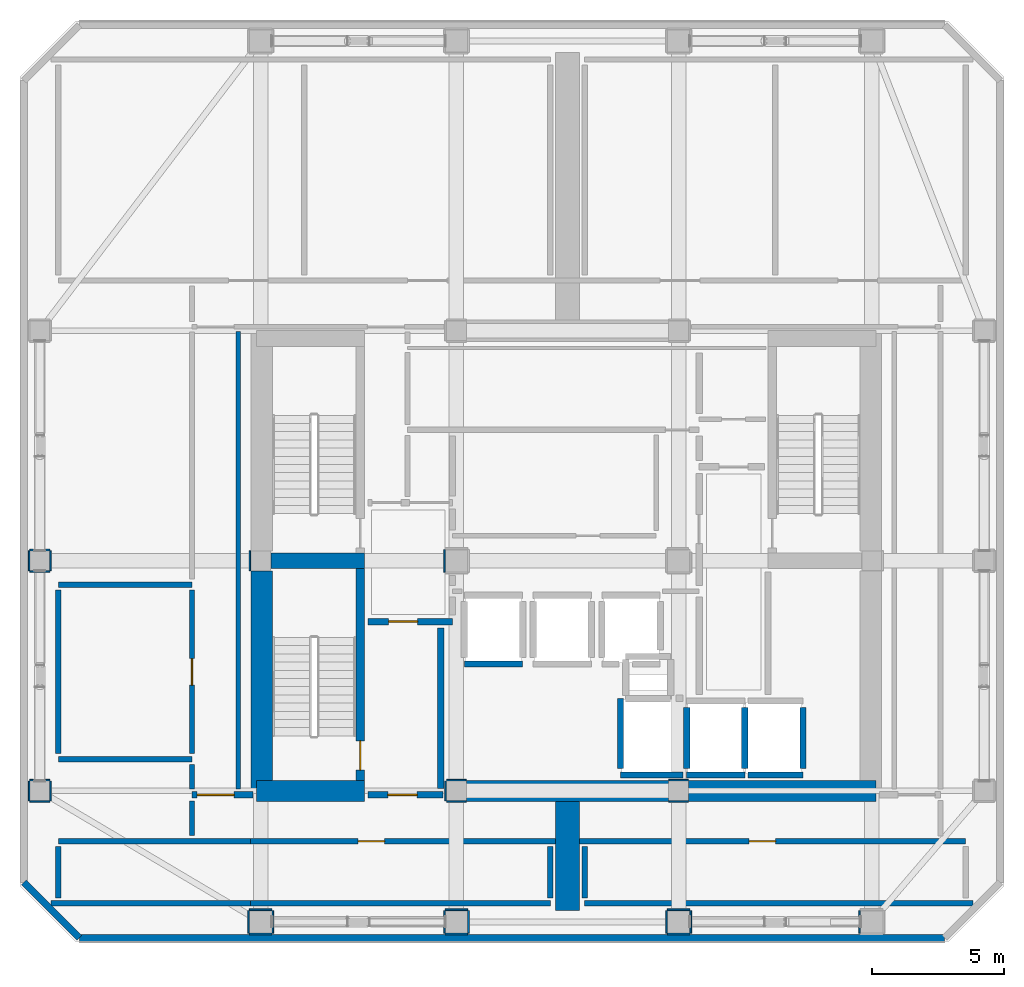
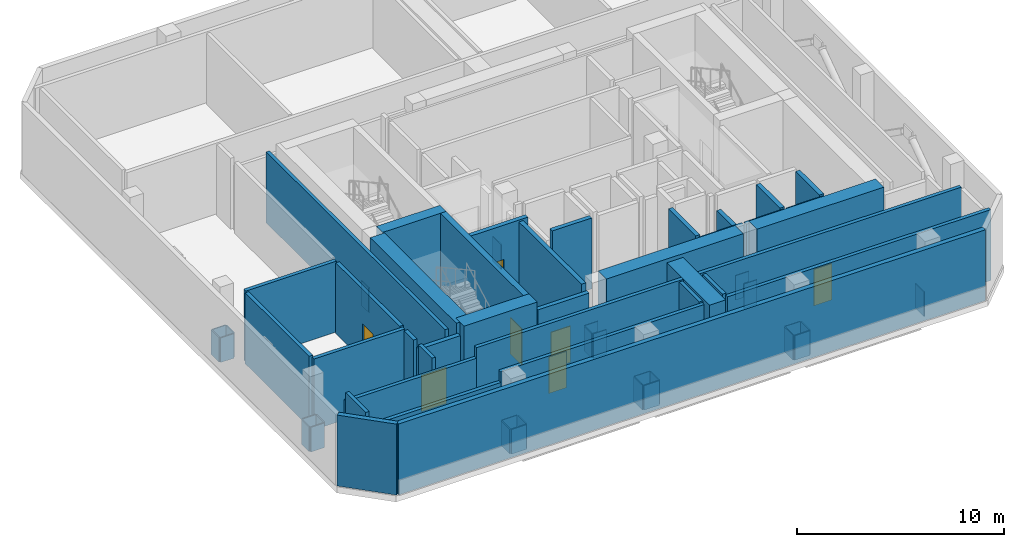
# One storey, part 8 of 13: 64 walls, 7 doors, 7 openings.
"""IFC4 building model written with IfcOpenShell, lengths in metres."""

from ifc_helpers import new_model, si_unit, direction, frame, frame_2d, origin, place, context, subcontext, project, spatial, rectangle, extrude, material, layer, layer_set, type_object, element, fill, save


model = new_model("IFC4")

# Units and contexts
model_context = context("Model", 3, precision=1e-05, world=origin(), true_north=direction((0.0, 1.0)))
body_context = subcontext(model_context, "Body", "Model", "MODEL_VIEW")
ifc_project = project(units=[si_unit("LENGTHUNIT", "METRE"), si_unit("AREAUNIT", "SQUARE_METRE"), si_unit("VOLUMEUNIT", "CUBIC_METRE"), si_unit("PLANEANGLEUNIT", "RADIAN"), si_unit("MASSUNIT", "GRAM", prefix="KILO")], contexts=[model_context])

# Site, building, storey
site_placement = place(None, origin())
site = spatial("IfcSite", under=ifc_project, at=site_placement, CompositionType="ELEMENT")
building_placement = place(site_placement, origin())
building = spatial("IfcBuilding", under=site, at=building_placement, Name="Solanera Arch Residences", CompositionType="ELEMENT")
storey_placement = place(building_placement, frame((0.0, 0.0, 257.840087890625)))
storey = spatial("IfcBuildingStorey", under=building, at=storey_placement, Name="L75", CompositionType="ELEMENT", Elevation=257.840087890625)

# Walls
ifc_material_1 = material(Name="Fire-Rated Gypsum Stud Partition", Category="gypsum")
ifc_layer_1 = layer(ifc_material_1, 0.06005859375)
ifc_layer_set_1 = layer_set([ifc_layer_1], Name="Fire-Rated Gypsum Stud Partition")
wall_type_1 = type_object("IfcWallType", Name="Column Acoustic Furring Wall 60", PredefinedType="PARTITIONING", material=ifc_layer_set_1)
for number, where, z_axis, x_axis, name in (
    (1, (20.425048828125, 21.593017578125, 0.0), (0.0, 0.0, 1.0), (1.0, 0.0, 0.0), "L75 Column Furring 1S"),
    (2, (20.425048828125, 22.406982421875, 0.0), (0.0, 0.0, 1.0), (1.0, 0.0, 0.0), "L75 Column Furring 1N"),
):
    element("IfcWall", number, at=place(storey_placement, frame(where, z_axis=z_axis, x_axis=x_axis)), inside=storey, type_object=wall_type_1, Name=name, PredefinedType="PARTITIONING", context=body_context, shape_type="SweptSolid", body=[
        extrude(rectangle(XDim=0.741943359375, YDim=0.06005859375, at=frame_2d((0.37109375, 0.0))), origin(), (0.0, 0.0, 1.0), 1.449951171875),
    ])
wall_1_placement = place(storey_placement, frame((20.39306640625, 21.625, 0.0), z_axis=(0.0, 0.0, 1.0), x_axis=(0.0, 1.0, 0.0)))
element("IfcWall", 3, at=wall_1_placement, inside=storey, type_object=wall_type_1, Name="L75 Column Furring 1W", PredefinedType="PARTITIONING", context=body_context, shape_type="SweptSolid", body=[
    extrude(rectangle(XDim=0.75, YDim=0.06005859375, at=frame_2d((0.375, 0.0))), origin(), (0.0, 0.0, 1.0), 1.449951171875),
])
for number, where, z_axis, x_axis, name in (
    (4, (28.8330078125, 21.593017578125, 0.0), (0.0, 0.0, 1.0), (1.0, 0.0, 0.0), "L75 Column Furring 2S"),
    (5, (28.8330078125, 22.406982421875, 0.0), (0.0, 0.0, 1.0), (1.0, 0.0, 0.0), "L75 Column Furring 2N"),
):
    element("IfcWall", number, at=place(storey_placement, frame(where, z_axis=z_axis, x_axis=x_axis)), inside=storey, type_object=wall_type_1, Name=name, PredefinedType="PARTITIONING", context=body_context, shape_type="SweptSolid", body=[
        extrude(rectangle(XDim=0.73388671875, YDim=0.06005859375, at=frame_2d((0.366943359375, 0.0))), origin(), (0.0, 0.0, 1.0), 1.449951171875),
    ])
wall_2_placement = place(storey_placement, frame((12.992919921875, 30.324951171875, 0.0), z_axis=(0.0, 0.0, 1.0), x_axis=(0.0, 1.0, 0.0)))
element("IfcWall", 6, at=wall_2_placement, inside=storey, type_object=wall_type_1, Name="L75 Column Furring 5W", PredefinedType="PARTITIONING", context=body_context, shape_type="SweptSolid", body=[
    extrude(rectangle(XDim=0.75, YDim=0.06005859375, at=frame_2d((0.375, 0.0))), origin(), (0.0, 0.0, 1.0), 1.449951171875),
])
wall_3_placement = place(storey_placement, frame((20.343017578125, 30.27490234375, 0.0), z_axis=(0.0, 0.0, 1.0), x_axis=(0.0, 1.0, 0.0)))
element("IfcWall", 7, at=wall_3_placement, inside=storey, type_object=wall_type_1, Name="L75 Column Furring 7W", PredefinedType="PARTITIONING", context=body_context, shape_type="SweptSolid", body=[
    extrude(rectangle(XDim=0.85009765625, YDim=0.06005859375, at=frame_2d((0.425048828125, 0.0))), origin(), (0.0, 0.0, 1.0), 1.449951171875),
])
for number, where, z_axis, x_axis, name in (
    (8, (12.97509765625, 16.593017578125, 0.0), (0.0, 0.0, 1.0), (1.0, 0.0, 0.0), "L75 Column Furring 9S"),
    (9, (12.97509765625, 17.507080078125, 0.0), (0.0, 0.0, 1.0), (1.0, 0.0, 0.0), "L75 Column Furring 9N"),
):
    element("IfcWall", number, at=place(storey_placement, frame(where, z_axis=z_axis, x_axis=x_axis)), inside=storey, type_object=wall_type_1, Name=name, PredefinedType="PARTITIONING", context=body_context, shape_type="SweptSolid", body=[
        extrude(rectangle(XDim=0.849853515625, YDim=0.06005859375, at=frame_2d((0.4248046875, 0.0))), origin(), (0.0, 0.0, 1.0), 1.449951171875),
    ])
for number, where, z_axis, x_axis, name in (
    (10, (12.943115234375, 16.625, 0.0), (0.0, 0.0, 1.0), (0.0, 1.0, 0.0), "L75 Column Furring 9W"),
    (11, (13.85693359375, 16.625, 0.0), (0.0, 0.0, 1.0), (0.0, 1.0, 0.0), "L75 Column Furring 9E"),
    (12, (20.375, 16.593017578125, 0.0), (0.0, 0.0, 1.0), (1.0, 0.0, 0.0), "L75 Column Furring 11S"),
    (13, (20.375, 17.507080078125, 0.0), (0.0, 0.0, 1.0), (1.0, 0.0, 0.0), "L75 Column Furring 11N"),
    (14, (20.343017578125, 16.625, 0.0), (0.0, 0.0, 1.0), (0.0, 1.0, 0.0), "L75 Column Furring 11W"),
    (15, (21.257080078125, 16.625, 0.0), (0.0, 0.0, 1.0), (0.0, 1.0, 0.0), "L75 Column Furring 11E"),
    (16, (28.77490234375, 16.593017578125, 0.0), (0.0, 0.0, 1.0), (1.0, 0.0, 0.0), "L75 Column Furring 13S"),
    (17, (28.77490234375, 17.507080078125, 0.0), (0.0, 0.0, 1.0), (1.0, 0.0, 0.0), "L75 Column Furring 13N"),
    (18, (28.742919921875, 16.625, 0.0), (0.0, 0.0, 1.0), (0.0, 1.0, 0.0), "L75 Column Furring 13W"),
    (19, (29.656982421875, 16.625, 0.0), (0.0, 0.0, 1.0), (0.0, 1.0, 0.0), "L75 Column Furring 13E"),
    (20, (36.04296875, 16.625, 0.0), (0.0, 0.0, 1.0), (0.0, 1.0, 0.0), "L75 Column Furring 15W"),
):
    element("IfcWall", number, at=place(storey_placement, frame(where, z_axis=z_axis, x_axis=x_axis)), inside=storey, type_object=wall_type_1, Name=name, PredefinedType="PARTITIONING", context=body_context, shape_type="SweptSolid", body=[
        extrude(rectangle(XDim=0.85009765625, YDim=0.06005859375, at=frame_2d((0.425048828125, 0.0))), origin(), (0.0, 0.0, 1.0), 1.449951171875),
    ])
for number, where, z_axis, x_axis, name in (
    (21, (4.675048828125, 21.593017578125, 0.0), (0.0, 0.0, 1.0), (1.0, 0.0, 0.0), "L75 Column Furring 17S"),
    (22, (4.675048828125, 22.406982421875, 0.0), (0.0, 0.0, 1.0), (1.0, 0.0, 0.0), "L75 Column Furring 17N"),
    (23, (4.64306640625, 21.625, 0.0), (0.0, 0.0, 1.0), (0.0, 1.0, 0.0), "L75 Column Furring 17W"),
    (24, (5.45703125, 21.625, 0.0), (0.0, 0.0, 1.0), (0.0, 1.0, 0.0), "L75 Column Furring 17E"),
    (25, (4.675048828125, 30.29296875, 0.0), (0.0, 0.0, 1.0), (1.0, 0.0, 0.0), "L75 Column Furring 19S"),
    (26, (4.675048828125, 31.10693359375, 0.0), (0.0, 0.0, 1.0), (1.0, 0.0, 0.0), "L75 Column Furring 19N"),
    (27, (4.64306640625, 30.324951171875, 0.0), (0.0, 0.0, 1.0), (0.0, 1.0, 0.0), "L75 Column Furring 19W"),
    (28, (5.45703125, 30.324951171875, 0.0), (0.0, 0.0, 1.0), (0.0, 1.0, 0.0), "L75 Column Furring 19E"),
):
    element("IfcWall", number, at=place(storey_placement, frame(where, z_axis=z_axis, x_axis=x_axis)), inside=storey, type_object=wall_type_1, Name=name, PredefinedType="PARTITIONING", context=body_context, shape_type="SweptSolid", body=[
        extrude(rectangle(XDim=0.75, YDim=0.06005859375, at=frame_2d((0.375, 0.0))), origin(), (0.0, 0.0, 1.0), 1.449951171875),
    ])

# Wall, opening, door
ifc_material_2 = material(Name="Concrete C40/50 (f'c = 45 MPa)", Category="concrete")
ifc_layer_2 = layer(ifc_material_2, 0.320068359375)
ifc_layer_set_2 = layer_set([ifc_layer_2], Name="Concrete C40/50 (f'c = 45 MPa)")
wall_type_2 = type_object("IfcWallType", Name="Core Shear Wall CW-320", PredefinedType="SHEAR", material=ifc_layer_set_2)
wall_4_placement = place(storey_placement, frame((17.159912109375, 22.39990234375, 0.0), z_axis=(0.0, 0.0, 1.0), x_axis=(0.0, 1.0, 0.0)))
wall_4 = element("IfcWall", 29, at=wall_4_placement, inside=storey, type_object=wall_type_2, Name="L75 Stair ST-T3 East Shear Wall", PredefinedType="SHEAR", context=body_context, shape_type="SweptSolid", body=[
    extrude(rectangle(XDim=8.0, YDim=0.320068359375, at=frame_2d((4.0, 0.0))), origin(), (0.0, 0.0, 1.0), 4.39990234375),
])
opening_1_placement = place(wall_4_placement, frame((0.389892578125, 0.0, 0.0)))
opening_1 = element("IfcOpeningElement", 30, at=opening_1_placement, cuts=wall_4, Name="Opening DF-01", PredefinedType="OPENING", context=body_context, shape_type="SweptSolid", body=[
    extrude(rectangle(XDim=1.10009765625, YDim=2.14990234375, at=frame_2d((0.550048828125, 1.074951171875))), frame((0.0, 0.169921875, 0.0), z_axis=(0.0, -1.0, 0.0), x_axis=(1.0, 0.0, 0.0)), (0.0, 0.0, 1.0), 0.3401),
])
ifc_material_3 = material(Name="Fire-Rated Architectural Hardwood", Category="wood")
door_type_1 = type_object("IfcDoorType", Name="Stair Exit Fire Door DF-01", OperationType="NOTDEFINED", PredefinedType="DOOR", material=ifc_material_3)
door_1_placement = place(opening_1_placement, origin())
door_1 = element("IfcDoor", 31, at=door_1_placement, inside=storey, type_object=door_type_1, Name="DR-L75-STAIR-ST-T3", OperationType="SINGLE_SWING_LEFT", OverallHeight=2.14990234375, OverallWidth=1.10009765625, PredefinedType="DOOR", context=body_context, shape_type="SweptSolid", body=[
    extrude(rectangle(XDim=1.10009765625, YDim=2.14990234375, at=frame_2d((0.550048828125, 1.074951171875))), frame((0.0, 0.02490234375, 0.0), z_axis=(0.0, -1.0, 0.0), x_axis=(1.0, 0.0, 0.0)), (0.0, 0.0, 1.0), 0.050048828125),
])
fill(opening_1, door_1)

# Walls
ifc_material_4 = material(Name="Concrete C40/50 (f'c = 45 MPa)", Category="concrete")
ifc_layer_3 = layer(ifc_material_4, 0.60009765625)
ifc_layer_set_3 = layer_set([ifc_layer_3], Name="Concrete C40/50 (f'c = 45 MPa)")
wall_type_3 = type_object("IfcWallType", Name="Core Shear Wall CW-600", PredefinedType="SHEAR", material=ifc_layer_set_3)
wall_5_placement = place(storey_placement, frame((13.780029296875, 30.699951171875, 0.0), z_axis=(0.0, 0.0, 1.0), x_axis=(1.0, 0.0, 0.0)))
element("IfcWall", 32, at=wall_5_placement, inside=storey, type_object=wall_type_3, Name="L75 West Stair Divider Shear Wall", PredefinedType="SHEAR", context=body_context, shape_type="SweptSolid", body=[
    extrude(rectangle(XDim=3.5400390625, YDim=0.60009765625, at=frame_2d((1.77001953125, 0.0))), origin(), (0.0, 0.0, 1.0), 4.39990234375),
])
ifc_material_5 = material(Name="Concrete C40/50 (f'c = 45 MPa)", Category="concrete")
ifc_layer_4 = layer(ifc_material_5, 0.800048828125)
ifc_layer_set_4 = layer_set([ifc_layer_4], Name="Concrete C40/50 (f'c = 45 MPa)")
wall_type_4 = type_object("IfcWallType", Name="Core Shear Wall CW-800", PredefinedType="SHEAR", material=ifc_layer_set_4)
wall_6_placement = place(storey_placement, frame((13.43994140625, 22.0, 0.0), z_axis=(0.0, 0.0, 1.0), x_axis=(0.0, 1.0, 0.0)))
element("IfcWall", 33, at=wall_6_placement, inside=storey, type_object=wall_type_4, Name="L75 West Core South Shear Wall", PredefinedType="SHEAR", context=body_context, shape_type="SweptSolid", body=[
    extrude(rectangle(XDim=8.320068359375, YDim=0.800048828125, at=frame_2d((4.16015625, 0.0))), origin(), (0.0, 0.0, 1.0), 4.39990234375),
])
wall_7_placement = place(storey_placement, frame((13.239990234375, 22.0, 0.0), z_axis=(0.0, 0.0, 1.0), x_axis=(1.0, 0.0, 0.0)))
element("IfcWall", 34, at=wall_7_placement, inside=storey, type_object=wall_type_4, Name="L75 South-West Core Shear Wall", PredefinedType="SHEAR", context=body_context, shape_type="SweptSolid", body=[
    extrude(rectangle(XDim=4.080078125, YDim=0.800048828125, at=frame_2d((2.0400390625, 0.0))), origin(), (0.0, 0.0, 1.0), 4.39990234375),
])
wall_8_placement = place(storey_placement, frame((29.580078125, 22.0, 0.0), z_axis=(0.0, 0.0, 1.0), x_axis=(1.0, 0.0, 0.0)))
element("IfcWall", 35, at=wall_8_placement, inside=storey, type_object=wall_type_4, Name="L75 South-East Core Shear Wall", PredefinedType="SHEAR", context=body_context, shape_type="SweptSolid", body=[
    extrude(rectangle(XDim=7.079833984375, YDim=0.800048828125, at=frame_2d((3.5400390625, 0.0))), origin(), (0.0, 0.0, 1.0), 4.39990234375),
])
wall_9_placement = place(storey_placement, frame((21.179931640625, 22.0, 0.0), z_axis=(0.0, 0.0, 1.0), x_axis=(1.0, 0.0, 0.0)))
element("IfcWall", 36, at=wall_9_placement, inside=storey, type_object=wall_type_4, Name="L75 Central South Core Shear Wall", PredefinedType="SHEAR", context=body_context, shape_type="SweptSolid", body=[
    extrude(rectangle(XDim=7.64013671875, YDim=0.800048828125, at=frame_2d((3.820068359375, 0.0))), origin(), (0.0, 0.0, 1.0), 4.39990234375),
])
ifc_material_6 = material(Name="Concrete C55/67 (f'c = 60 MPa)", Category="concrete")
ifc_layer_5 = layer(ifc_material_6, 0.89990234375)
ifc_layer_set_5 = layer_set([ifc_layer_5], Name="Concrete C55/67 (f'c = 60 MPa)")
wall_type_5 = type_object("IfcWallType", Name="Core Shear Wall Outrigger OW-900", PredefinedType="SHEAR", material=ifc_layer_set_5)
wall_10_placement = place(storey_placement, frame((25.0, 17.47509765625, 0.0), z_axis=(0.0, 0.0, 1.0), x_axis=(0.0, 1.0, 0.0)))
element("IfcWall", 37, at=wall_10_placement, inside=storey, type_object=wall_type_5, Name="L75 South Outrigger Shear Wall", PredefinedType="SHEAR", context=body_context, shape_type="SweptSolid", body=[
    extrude(rectangle(XDim=4.125, YDim=0.89990234375, at=frame_2d((2.0625, 0.0))), origin(), (0.0, 0.0, 1.0), 4.179931640625),
])
ifc_material_7 = material(Name="Autoclaved Aerated Concrete Blockwork", Category="masonry")
ifc_layer_6 = layer(ifc_material_7, 0.179931640625)
ifc_layer_set_6 = layer_set([ifc_layer_6], Name="Autoclaved Aerated Concrete Blockwork")
wall_type_6 = type_object("IfcWallType", Name="Corridor Fire Partition 180", PredefinedType="PARTITIONING", material=ifc_layer_set_6)
wall_11_placement = place(storey_placement, frame((12.550048828125, 22.068115234375, 0.0), z_axis=(0.0, 0.0, 1.0), x_axis=(0.0, 1.0, 0.0)))
element("IfcWall", 38, at=wall_11_placement, inside=storey, type_object=wall_type_6, Name="L75 Interior Partition V19", PredefinedType="PARTITIONING", context=body_context, shape_type="SweptSolid", body=[
    extrude(rectangle(XDim=17.2939453125, YDim=0.179931640625, at=frame_2d((8.64697265625, 0.0))), origin(), (0.0, 0.0, 1.0), 4.179931640625),
])
ifc_material_8 = material(Name="Precast Concrete C35/45", Category="concrete")
ifc_layer_7 = layer(ifc_material_8, 0.260009765625)
ifc_layer_set_7 = layer_set([ifc_layer_7], Name="Precast Concrete C35/45")
wall_type_7 = type_object("IfcWallType", Name="Exterior Wall Precast Masonry-Frame 260", PredefinedType="STANDARD", material=ifc_layer_set_7)
wall_12_placement = place(storey_placement, frame((39.2548828125, 16.445068359375, 0.0), z_axis=(0.0, 0.0, 1.0), x_axis=(-1.0, 0.0, 0.0)))
element("IfcWall", 39, at=wall_12_placement, inside=storey, type_object=wall_type_7, Name="L75 Tower Exterior Precast Masonry-Frame Wall S", PredefinedType="STANDARD", context=body_context, shape_type="SweptSolid", body=[
    extrude(rectangle(XDim=32.7099609375, YDim=0.260009765625, at=frame_2d((16.35498046875, 0.0))), origin(), (0.0, 0.0, 1.0), 4.179931640625),
])
wall_13_placement = place(storey_placement, frame((6.544921875, 16.445068359375, 0.0), z_axis=(0.0, 0.0, 1.0), x_axis=(-0.707106781187, 0.707106781187, 0.0)))
element("IfcWall", 40, at=wall_13_placement, inside=storey, type_object=wall_type_7, Name="L75 Tower Exterior Precast Masonry-Frame Wall CH7", PredefinedType="STANDARD", context=body_context, shape_type="SweptSolid", body=[
    extrude(rectangle(XDim=2.9697265625, YDim=0.260009765625, at=frame_2d((1.48486328125, 0.0))), origin(), (0.0, 0.0, 1.0), 4.179931640625),
])
ifc_material_9 = material(Name="Autoclaved Aerated Concrete Blockwork", Category="masonry")
ifc_layer_8 = layer(ifc_material_9, 0.199951171875)
ifc_layer_set_8 = layer_set([ifc_layer_8], Name="Autoclaved Aerated Concrete Blockwork")
wall_type_8 = type_object("IfcWallType", Name="Party Wall Acoustic 200", PredefinedType="PARTITIONING", material=ifc_layer_set_8)
wall_14_placement = place(storey_placement, frame((5.468994140625, 17.75, 0.0), z_axis=(0.0, 0.0, 1.0), x_axis=(1.0, 0.0, 0.0)))
element("IfcWall", 41, at=wall_14_placement, inside=storey, type_object=wall_type_8, Name="L75 Interior Partition H6 1", PredefinedType="PARTITIONING", context=body_context, shape_type="SweptSolid", body=[
    extrude(rectangle(XDim=7.54296875, YDim=0.199951171875, at=frame_2d((3.771484375, 0.0))), origin(), (0.0, 0.0, 1.0), 3.556884765625),
])
wall_15_placement = place(storey_placement, frame((13.011962890625, 17.75, 0.0), z_axis=(0.0, 0.0, 1.0), x_axis=(1.0, 0.0, 0.0)))
element("IfcWall", 42, at=wall_15_placement, inside=storey, type_object=wall_type_8, Name="L75 Interior Partition H6 2", PredefinedType="PARTITIONING", context=body_context, shape_type="SweptSolid", body=[
    extrude(rectangle(XDim=11.338134765625, YDim=0.199951171875, at=frame_2d((5.6689453125, 0.0))), origin(), (0.0, 0.0, 1.0), 4.179931640625),
])
wall_16_placement = place(storey_placement, frame((25.64990234375, 17.75, 0.0), z_axis=(0.0, 0.0, 1.0), x_axis=(1.0, 0.0, 0.0)))
element("IfcWall", 43, at=wall_16_placement, inside=storey, type_object=wall_type_8, Name="L75 Interior Partition H7", PredefinedType="PARTITIONING", context=body_context, shape_type="SweptSolid", body=[
    extrude(rectangle(XDim=14.68115234375, YDim=0.199951171875, at=frame_2d((7.340576171875, 0.0))), origin(), (0.0, 0.0, 1.0), 4.179931640625),
])
wall_17_placement = place(storey_placement, frame((5.75, 20.10009765625, 0.0), z_axis=(0.0, 0.0, 1.0), x_axis=(1.0, 0.0, 0.0)))
element("IfcWall", 44, at=wall_17_placement, inside=storey, type_object=wall_type_8, Name="L75 Interior Partition H8 1", PredefinedType="PARTITIONING", context=body_context, shape_type="SweptSolid", body=[
    extrude(rectangle(XDim=7.261962890625, YDim=0.199951171875, at=frame_2d((3.630859375, 0.0))), origin(), (0.0, 0.0, 1.0), 3.556884765625),
])

# Wall, openings, doors
wall_18_placement = place(storey_placement, frame((13.011962890625, 20.10009765625, 0.0), z_axis=(0.0, 0.0, 1.0), x_axis=(1.0, 0.0, 0.0)))
wall_18 = element("IfcWall", 45, at=wall_18_placement, inside=storey, type_object=wall_type_8, Name="L75 Interior Partition H8 2", PredefinedType="PARTITIONING", context=body_context, shape_type="SweptSolid", body=[
    extrude(rectangle(XDim=27.0380859375, YDim=0.199951171875, at=frame_2d((13.51904296875, 0.0))), origin(), (0.0, 0.0, 1.0), 4.179931640625),
])
opening_2_placement = place(wall_18_placement, frame((18.85302734375, 0.0, 0.0)))
opening_2 = element("IfcOpeningElement", 46, at=opening_2_placement, cuts=wall_18, Name="Opening DI-01", PredefinedType="OPENING", context=body_context, shape_type="SweptSolid", body=[
    extrude(rectangle(XDim=1.0, YDim=2.14990234375, at=frame_2d((0.5, 1.074951171875))), frame((0.0, 0.110107421875, 0.0), z_axis=(0.0, -1.0, 0.0), x_axis=(1.0, 0.0, 0.0)), (0.0, 0.0, 1.0), 0.22),
])
opening_3_placement = place(wall_18_placement, frame((4.072998046875, 0.0, 0.0)))
opening_3 = element("IfcOpeningElement", 47, at=opening_3_placement, cuts=wall_18, Name="Opening DI-01", PredefinedType="OPENING", context=body_context, shape_type="SweptSolid", body=[
    extrude(rectangle(XDim=1.0, YDim=2.14990234375, at=frame_2d((0.5, 1.074951171875))), frame((0.0, 0.110107421875, 0.0), z_axis=(0.0, -1.0, 0.0), x_axis=(1.0, 0.0, 0.0)), (0.0, 0.0, 1.0), 0.22),
])
ifc_material_10 = material(Name="Fire-Rated Architectural Hardwood", Category="wood")
door_type_2 = type_object("IfcDoorType", Name="Unit Entrance Fire Door DI-01", OperationType="NOTDEFINED", PredefinedType="DOOR", material=ifc_material_10)
door_2_placement = place(opening_2_placement, origin())
door_2 = element("IfcDoor", 48, at=door_2_placement, inside=storey, type_object=door_type_2, Name="DR-L75-IN-019", OperationType="SINGLE_SWING_LEFT", OverallHeight=2.14990234375, OverallWidth=1.0, PredefinedType="DOOR", context=body_context, shape_type="SweptSolid", body=[
    extrude(rectangle(XDim=1.0, YDim=2.14990234375, at=frame_2d((0.5, 1.074951171875))), frame((0.0, 0.02490234375, 0.0), z_axis=(0.0, -1.0, 0.0), x_axis=(1.0, 0.0, 0.0)), (0.0, 0.0, 1.0), 0.050048828125),
])
fill(opening_2, door_2)
door_3_placement = place(opening_3_placement, origin())
door_3 = element("IfcDoor", 49, at=door_3_placement, inside=storey, type_object=door_type_2, Name="DR-L75-IN-022", OperationType="SINGLE_SWING_RIGHT", OverallHeight=2.14990234375, OverallWidth=1.0, PredefinedType="DOOR", context=body_context, shape_type="SweptSolid", body=[
    extrude(rectangle(XDim=1.0, YDim=2.14990234375, at=frame_2d((0.5, 1.074951171875))), frame((0.0, 0.02490234375, 0.0), z_axis=(0.0, -1.0, 0.0), x_axis=(1.0, 0.0, 0.0)), (0.0, 0.0, 1.0), 0.050048828125),
])
fill(opening_3, door_3)

# Walls
for number, where, z_axis, x_axis, name in (
    (50, (5.75, 23.199951171875, 0.0), (0.0, 0.0, 1.0), (1.0, 0.0, 0.0), "L75 Interior Partition H9"),
    (51, (5.75, 29.800048828125, 0.0), (0.0, 0.0, 1.0), (1.0, 0.0, 0.0), "L75 Interior Partition H10"),
):
    element("IfcWall", number, at=place(storey_placement, frame(where, z_axis=z_axis, x_axis=x_axis)), inside=storey, type_object=wall_type_8, Name=name, PredefinedType="PARTITIONING", context=body_context, shape_type="SweptSolid", body=[
        extrude(rectangle(XDim=5.050048828125, YDim=0.199951171875, at=frame_2d((2.52490234375, 0.0))), origin(), (0.0, 0.0, 1.0), 4.179931640625),
    ])
wall_19_placement = place(storey_placement, frame((5.75, 17.9580078125, 0.0), z_axis=(0.0, 0.0, 1.0), x_axis=(0.0, 1.0, 0.0)))
element("IfcWall", 52, at=wall_19_placement, inside=storey, type_object=wall_type_8, Name="L75 Interior Partition V6", PredefinedType="PARTITIONING", context=body_context, shape_type="SweptSolid", body=[
    extrude(rectangle(XDim=1.93408203125, YDim=0.199951171875, at=frame_2d((0.967041015625, 0.0))), origin(), (0.0, 0.0, 1.0), 4.179931640625),
])
wall_20_placement = place(storey_placement, frame((5.75, 23.407958984375, 0.0), z_axis=(0.0, 0.0, 1.0), x_axis=(0.0, 1.0, 0.0)))
element("IfcWall", 53, at=wall_20_placement, inside=storey, type_object=wall_type_8, Name="L75 Interior Partition V7", PredefinedType="PARTITIONING", context=body_context, shape_type="SweptSolid", body=[
    extrude(rectangle(XDim=6.18408203125, YDim=0.199951171875, at=frame_2d((3.092041015625, 0.0))), origin(), (0.0, 0.0, 1.0), 4.179931640625),
])
wall_21_placement = place(storey_placement, frame((10.800048828125, 20.30810546875, 0.0), z_axis=(0.0, 0.0, 1.0), x_axis=(0.0, 1.0, 0.0)))
element("IfcWall", 54, at=wall_21_placement, inside=storey, type_object=wall_type_8, Name="L75 Interior Partition V9 1", PredefinedType="PARTITIONING", context=body_context, shape_type="SweptSolid", body=[
    extrude(rectangle(XDim=1.31396484375, YDim=0.199951171875, at=frame_2d((0.656982421875, 0.0))), origin(), (0.0, 0.0, 1.0), 4.179931640625),
])
wall_22_placement = place(storey_placement, frame((10.800048828125, 22.077880859375, 0.0), z_axis=(0.0, 0.0, 1.0), x_axis=(0.0, 1.0, 0.0)))
element("IfcWall", 55, at=wall_22_placement, inside=storey, type_object=wall_type_8, Name="L75 Interior Partition V9 2", PredefinedType="PARTITIONING", context=body_context, shape_type="SweptSolid", body=[
    extrude(rectangle(XDim=0.9140625, YDim=0.199951171875, at=frame_2d((0.45703125, 0.0))), origin(), (0.0, 0.0, 1.0), 4.179931640625),
])

# Wall, opening, door
wall_23_placement = place(storey_placement, frame((10.800048828125, 23.407958984375, 0.0), z_axis=(0.0, 0.0, 1.0), x_axis=(0.0, 1.0, 0.0)))
wall_23 = element("IfcWall", 56, at=wall_23_placement, inside=storey, type_object=wall_type_8, Name="L75 Interior Partition V9 3", PredefinedType="PARTITIONING", context=body_context, shape_type="SweptSolid", body=[
    extrude(rectangle(XDim=6.18408203125, YDim=0.199951171875, at=frame_2d((3.092041015625, 0.0))), origin(), (0.0, 0.0, 1.0), 4.179931640625),
])
opening_4_placement = place(wall_23_placement, frame((2.592041015625, 0.0, 0.0)))
opening_4 = element("IfcOpeningElement", 57, at=opening_4_placement, cuts=wall_23, Name="Opening DI-01", PredefinedType="OPENING", context=body_context, shape_type="SweptSolid", body=[
    extrude(rectangle(XDim=1.0, YDim=2.14990234375, at=frame_2d((0.5, 1.074951171875))), frame((0.0, 0.110107421875, 0.0), z_axis=(0.0, -1.0, 0.0), x_axis=(1.0, 0.0, 0.0)), (0.0, 0.0, 1.0), 0.22),
])
door_4_placement = place(opening_4_placement, origin())
door_4 = element("IfcDoor", 58, at=door_4_placement, inside=storey, type_object=door_type_2, Name="DR-L75-IN-018", OperationType="SINGLE_SWING_RIGHT", OverallHeight=2.14990234375, OverallWidth=1.0, PredefinedType="DOOR", context=body_context, shape_type="SweptSolid", body=[
    extrude(rectangle(XDim=1.0, YDim=2.14990234375, at=frame_2d((0.5, 1.074951171875))), frame((0.0, 0.02490234375, 0.0), z_axis=(0.0, -1.0, 0.0), x_axis=(1.0, 0.0, 0.0)), (0.0, 0.0, 1.0), 0.050048828125),
])
fill(opening_4, door_4)

# Walls
for number, where, z_axis, x_axis, name in (
    (59, (24.35009765625, 17.9580078125, 0.0), (0.0, 0.0, 1.0), (0.0, 1.0, 0.0), "L75 Interior Partition V12"),
    (60, (25.64990234375, 17.9580078125, 0.0), (0.0, 0.0, 1.0), (0.0, 1.0, 0.0), "L75 Interior Partition V14"),
):
    element("IfcWall", number, at=place(storey_placement, frame(where, z_axis=z_axis, x_axis=x_axis)), inside=storey, type_object=wall_type_8, Name=name, PredefinedType="PARTITIONING", context=body_context, shape_type="SweptSolid", body=[
        extrude(rectangle(XDim=1.93408203125, YDim=0.199951171875, at=frame_2d((0.967041015625, 0.0))), origin(), (0.0, 0.0, 1.0), 4.179931640625),
    ])
ifc_material_11 = material(Name="Autoclaved Aerated Concrete Blockwork", Category="masonry")
ifc_layer_9 = layer(ifc_material_11, 0.239990234375)
ifc_layer_set_9 = layer_set([ifc_layer_9], Name="Autoclaved Aerated Concrete Blockwork")
wall_type_9 = type_object("IfcWallType", Name="Shaft Wall Fire-Rated 240", PredefinedType="PARTITIONING", material=ifc_layer_set_9)
for number, where, z_axis, x_axis, name in (
    (61, (21.10009765625, 26.800048828125, 0.0), (0.0, 0.0, 1.0), (1.0, 0.0, 0.0), "L75 Lift PL-H1 Hoistway Wall S"),
    (62, (29.5, 22.60009765625, 0.0), (0.0, 0.0, 1.0), (1.0, 0.0, 0.0), "L75 Lift FFL-1 Hoistway Wall S"),
):
    element("IfcWall", number, at=place(storey_placement, frame(where, z_axis=z_axis, x_axis=x_axis)), inside=storey, type_object=wall_type_9, Name=name, PredefinedType="PARTITIONING", context=body_context, shape_type="SweptSolid", body=[
        extrude(rectangle(XDim=2.199951171875, YDim=0.239990234375, at=frame_2d((1.10009765625, 0.0))), origin(), (0.0, 0.0, 1.0), 4.179931640625),
    ])
wall_24_placement = place(storey_placement, frame((29.5, 22.847900390625, 0.0), z_axis=(0.0, 0.0, 1.0), x_axis=(0.0, 1.0, 0.0)))
element("IfcWall", 63, at=wall_24_placement, inside=storey, type_object=wall_type_9, Name="L75 Lift FFL-1 Hoistway Wall W", PredefinedType="PARTITIONING", context=body_context, shape_type="SweptSolid", body=[
    extrude(rectangle(XDim=2.30419921875, YDim=0.239990234375, at=frame_2d((1.152099609375, 0.0))), origin(), (0.0, 0.0, 1.0), 3.414794921875),
])
wall_25_placement = place(storey_placement, frame((31.699951171875, 22.847900390625, 0.0), z_axis=(0.0, 0.0, 1.0), x_axis=(0.0, 1.0, 0.0)))
element("IfcWall", 64, at=wall_25_placement, inside=storey, type_object=wall_type_9, Name="L75 Lift FFL-1 Hoistway Wall E", PredefinedType="PARTITIONING", context=body_context, shape_type="SweptSolid", body=[
    extrude(rectangle(XDim=2.30419921875, YDim=0.239990234375, at=frame_2d((1.152099609375, 0.0))), origin(), (0.0, 0.0, 1.0), 4.179931640625),
])
wall_26_placement = place(storey_placement, frame((31.827880859375, 22.60009765625, 0.0), z_axis=(0.0, 0.0, 1.0), x_axis=(1.0, 0.0, 0.0)))
element("IfcWall", 65, at=wall_26_placement, inside=storey, type_object=wall_type_9, Name="L75 Lift FFL-2 Hoistway Wall S", PredefinedType="PARTITIONING", context=body_context, shape_type="SweptSolid", body=[
    extrude(rectangle(XDim=2.072021484375, YDim=0.239990234375, at=frame_2d((1.0361328125, 0.0))), origin(), (0.0, 0.0, 1.0), 4.179931640625),
])
wall_27_placement = place(storey_placement, frame((33.89990234375, 22.847900390625, 0.0), z_axis=(0.0, 0.0, 1.0), x_axis=(0.0, 1.0, 0.0)))
element("IfcWall", 66, at=wall_27_placement, inside=storey, type_object=wall_type_9, Name="L75 Lift FFL-2 Hoistway Wall E", PredefinedType="PARTITIONING", context=body_context, shape_type="SweptSolid", body=[
    extrude(rectangle(XDim=2.30419921875, YDim=0.239990234375, at=frame_2d((1.152099609375, 0.0))), origin(), (0.0, 0.0, 1.0), 4.179931640625),
])
wall_28_placement = place(storey_placement, frame((27.0, 22.60009765625, 0.0), z_axis=(0.0, 0.0, 1.0), x_axis=(1.0, 0.0, 0.0)))
element("IfcWall", 67, at=wall_28_placement, inside=storey, type_object=wall_type_9, Name="L75 Lift SVL-1 Hoistway Wall S", PredefinedType="PARTITIONING", context=body_context, shape_type="SweptSolid", body=[
    extrude(rectangle(XDim=2.3720703125, YDim=0.239990234375, at=frame_2d((1.18603515625, 0.0))), origin(), (0.0, 0.0, 1.0), 4.179931640625),
])
wall_29_placement = place(storey_placement, frame((27.0, 22.847900390625, 0.0), z_axis=(0.0, 0.0, 1.0), x_axis=(0.0, 1.0, 0.0)))
element("IfcWall", 68, at=wall_29_placement, inside=storey, type_object=wall_type_9, Name="L75 Lift SVL-1 Hoistway Wall W", PredefinedType="PARTITIONING", context=body_context, shape_type="SweptSolid", body=[
    extrude(rectangle(XDim=2.650146484375, YDim=0.239990234375, at=frame_2d((1.3251953125, 0.0))), origin(), (0.0, 0.0, 1.0), 4.179931640625),
])

# Wall, opening, door
wall_30_placement = place(storey_placement, frame((10.800048828125, 21.85009765625, 0.0), z_axis=(0.0, 0.0, 1.0), x_axis=(1.0, 0.0, 0.0)))
wall_30 = element("IfcWall", 69, at=wall_30_placement, inside=storey, type_object=wall_type_9, Name="L75 Interior Partition H1 1", PredefinedType="PARTITIONING", context=body_context, shape_type="SweptSolid", body=[
    extrude(rectangle(XDim=2.31005859375, YDim=0.239990234375, at=frame_2d((1.155029296875, 0.0))), origin(), (0.0, 0.0, 1.0), 3.806884765625),
])
opening_5_placement = place(wall_30_placement, frame((0.198974609375, 0.0, 0.0)))
opening_5 = element("IfcOpeningElement", 70, at=opening_5_placement, cuts=wall_30, Name="Opening DF-03", PredefinedType="OPENING", context=body_context, shape_type="SweptSolid", body=[
    extrude(rectangle(XDim=1.39990234375, YDim=2.14990234375, at=frame_2d((0.699951171875, 1.074951171875))), frame((0.0, 0.1298828125, 0.0), z_axis=(0.0, -1.0, 0.0), x_axis=(1.0, 0.0, 0.0)), (0.0, 0.0, 1.0), 0.26),
])
ifc_material_12 = material(Name="Fire-Rated Architectural Hardwood", Category="wood")
door_type_3 = type_object("IfcDoorType", Name="Corridor Smoke Door DF-03", OperationType="NOTDEFINED", PredefinedType="DOOR", material=ifc_material_12)
door_5_placement = place(opening_5_placement, origin())
door_5 = element("IfcDoor", 71, at=door_5_placement, inside=storey, type_object=door_type_3, Name="DR-L75-IN-010", OperationType="SINGLE_SWING_RIGHT", OverallHeight=2.14990234375, OverallWidth=1.39990234375, PredefinedType="DOOR", context=body_context, shape_type="SweptSolid", body=[
    extrude(rectangle(XDim=1.39990234375, YDim=2.14990234375, at=frame_2d((0.699951171875, 1.074951171875))), frame((0.0, 0.02490234375, 0.0), z_axis=(0.0, -1.0, 0.0), x_axis=(1.0, 0.0, 0.0)), (0.0, 0.0, 1.0), 0.050048828125),
])
fill(opening_5, door_5)

wall_31_placement = place(storey_placement, frame((17.449951171875, 21.85009765625, 0.0), z_axis=(0.0, 0.0, 1.0), x_axis=(1.0, 0.0, 0.0)))
wall_31 = element("IfcWall", 72, at=wall_31_placement, inside=storey, type_object=wall_type_9, Name="L75 Interior Partition H1 2", PredefinedType="PARTITIONING", context=body_context, shape_type="SweptSolid", body=[
    extrude(rectangle(XDim=2.843017578125, YDim=0.239990234375, at=frame_2d((1.42138671875, 0.0))), origin(), (0.0, 0.0, 1.0), 3.806884765625),
])
opening_6_placement = place(wall_31_placement, frame((0.760009765625, 0.0, 0.0)))
opening_6 = element("IfcOpeningElement", 73, at=opening_6_placement, cuts=wall_31, Name="Opening DF-02", PredefinedType="OPENING", context=body_context, shape_type="SweptSolid", body=[
    extrude(rectangle(XDim=1.10009765625, YDim=2.14990234375, at=frame_2d((0.550048828125, 1.074951171875))), frame((0.0, 0.1298828125, 0.0), z_axis=(0.0, -1.0, 0.0), x_axis=(1.0, 0.0, 0.0)), (0.0, 0.0, 1.0), 0.26),
])
ifc_material_13 = material(Name="Fire-Rated Architectural Hardwood", Category="wood")
door_type_4 = type_object("IfcDoorType", Name="Firefighting Lobby Fire Door DF-02", OperationType="NOTDEFINED", PredefinedType="DOOR", material=ifc_material_13)
door_6_placement = place(opening_6_placement, origin())
door_6 = element("IfcDoor", 74, at=door_6_placement, inside=storey, type_object=door_type_4, Name="DR-L75-IN-008", OperationType="SINGLE_SWING_RIGHT", OverallHeight=2.14990234375, OverallWidth=1.10009765625, PredefinedType="DOOR", context=body_context, shape_type="SweptSolid", body=[
    extrude(rectangle(XDim=1.10009765625, YDim=2.14990234375, at=frame_2d((0.550048828125, 1.074951171875))), frame((0.0, 0.02490234375, 0.0), z_axis=(0.0, -1.0, 0.0), x_axis=(1.0, 0.0, 0.0)), (0.0, 0.0, 1.0), 0.050048828125),
])
fill(opening_6, door_6)

wall_32_placement = place(storey_placement, frame((17.449951171875, 28.39990234375, 0.0), z_axis=(0.0, 0.0, 1.0), x_axis=(1.0, 0.0, 0.0)))
wall_32 = element("IfcWall", 75, at=wall_32_placement, inside=storey, type_object=wall_type_9, Name="L75 Interior Partition H3", PredefinedType="PARTITIONING", context=body_context, shape_type="SweptSolid", body=[
    extrude(rectangle(XDim=3.199951171875, YDim=0.239990234375, at=frame_2d((1.60009765625, 0.0))), origin(), (0.0, 0.0, 1.0), 4.179931640625),
])
opening_7_placement = place(wall_32_placement, frame((0.783935546875, 0.0, 0.0)))
opening_7 = element("IfcOpeningElement", 76, at=opening_7_placement, cuts=wall_32, Name="Opening DF-02", PredefinedType="OPENING", context=body_context, shape_type="SweptSolid", body=[
    extrude(rectangle(XDim=1.10009765625, YDim=2.14990234375, at=frame_2d((0.550048828125, 1.074951171875))), frame((0.0, 0.1298828125, 0.0), z_axis=(0.0, -1.0, 0.0), x_axis=(1.0, 0.0, 0.0)), (0.0, 0.0, 1.0), 0.26),
])
door_7_placement = place(opening_7_placement, origin())
door_7 = element("IfcDoor", 77, at=door_7_placement, inside=storey, type_object=door_type_4, Name="DR-L75-IN-004", OperationType="SINGLE_SWING_RIGHT", OverallHeight=2.14990234375, OverallWidth=1.10009765625, PredefinedType="DOOR", context=body_context, shape_type="SweptSolid", body=[
    extrude(rectangle(XDim=1.10009765625, YDim=2.14990234375, at=frame_2d((0.550048828125, 1.074951171875))), frame((0.0, 0.02490234375, 0.0), z_axis=(0.0, -1.0, 0.0), x_axis=(1.0, 0.0, 0.0)), (0.0, 0.0, 1.0), 0.050048828125),
])
fill(opening_7, door_7)

# Wall
wall_33_placement = place(storey_placement, frame((20.199951171875, 22.097900390625, 0.0), z_axis=(0.0, 0.0, 1.0), x_axis=(0.0, 1.0, 0.0)))
element("IfcWall", 78, at=wall_33_placement, inside=storey, type_object=wall_type_9, Name="L75 Interior Partition V2", PredefinedType="PARTITIONING", context=body_context, shape_type="SweptSolid", body=[
    extrude(rectangle(XDim=6.05419921875, YDim=0.239990234375, at=frame_2d((3.027099609375, 0.0))), origin(), (0.0, 0.0, 1.0), 4.179931640625),
])

save(model, "model.ifc")
